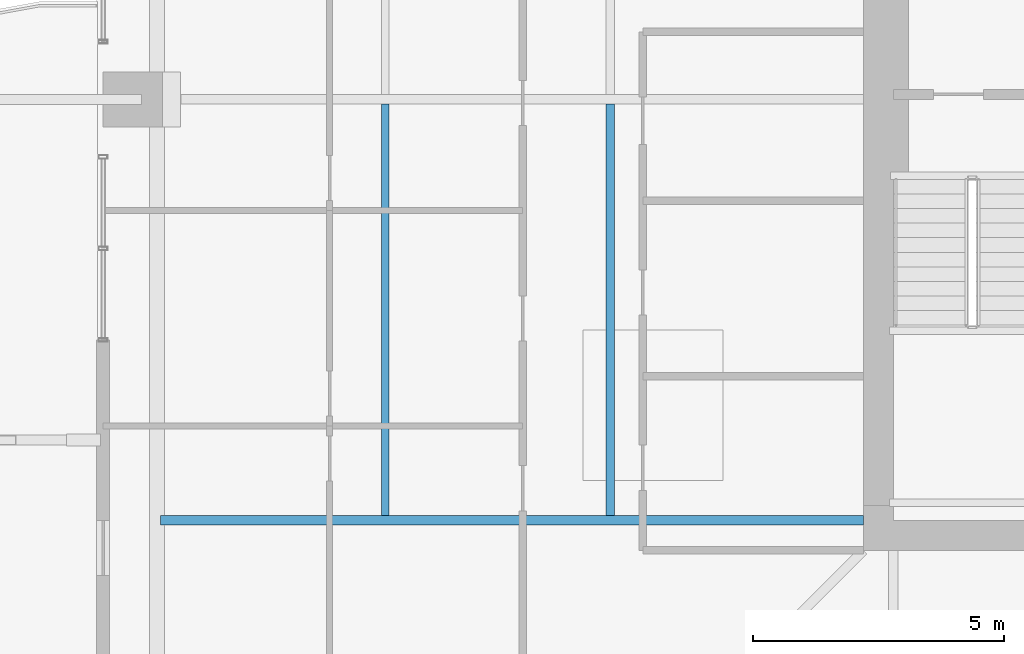
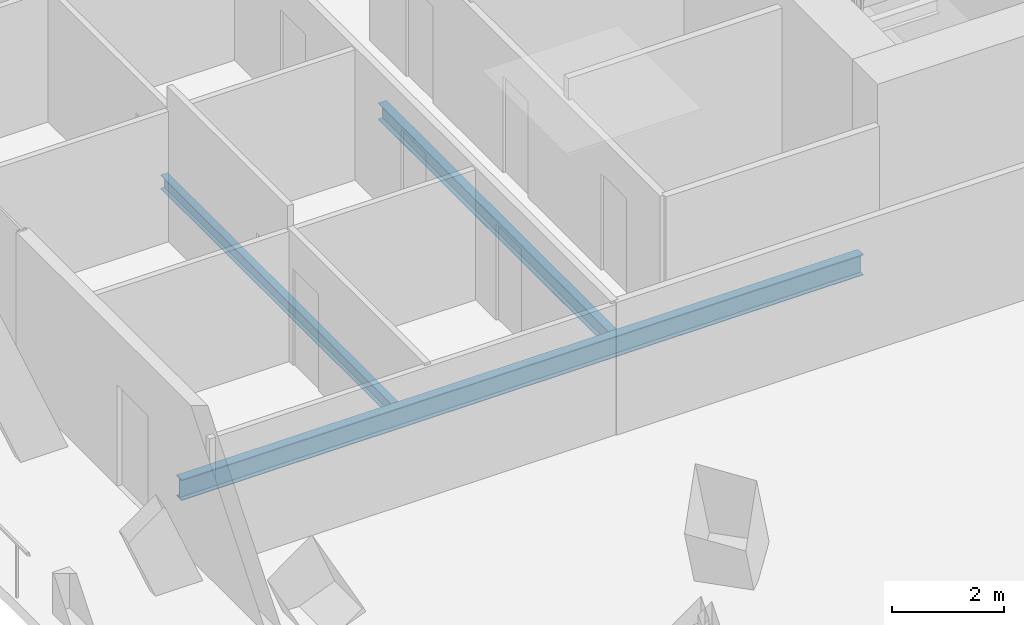
# One storey, part 5 of 24: 3 beams.
"""IFC4 building model written with IfcOpenShell, lengths in metres."""

from ifc_helpers import new_model, si_unit, direction, frame, origin, origin_2d, place, context, subcontext, project, spatial, i_section, extrude, material, material_profile, profile_set, type_object, element, save


model = new_model("IFC4")

# Units and contexts
model_context = context("Model", 3, precision=1e-05, world=origin(), true_north=direction((0.0, 1.0)))
body_context = subcontext(model_context, "Body", "Model", "MODEL_VIEW")
ifc_project = project(units=[si_unit("LENGTHUNIT", "METRE"), si_unit("AREAUNIT", "SQUARE_METRE"), si_unit("VOLUMEUNIT", "CUBIC_METRE"), si_unit("PLANEANGLEUNIT", "RADIAN"), si_unit("MASSUNIT", "GRAM", prefix="KILO")], contexts=[model_context])

# Site, building, storey
site_placement = place(None, origin())
site = spatial("IfcSite", under=ifc_project, at=site_placement, CompositionType="ELEMENT")
building_placement = place(site_placement, origin())
building = spatial("IfcBuilding", under=site, at=building_placement, Name="Belovzor Exchange Tower", CompositionType="ELEMENT")
storey_placement = place(building_placement, frame((0.0, 0.0, 190.800048828125)))
storey = spatial("IfcBuildingStorey", under=building, at=storey_placement, Name="L47", CompositionType="ELEMENT", Elevation=190.800048828125)

# Beams
ifc_material_1 = material(Name="Steel S355", Category="steel")
ifc_material_profile_1 = material_profile(ifc_material_1, i_section(OverallWidth=0.169921875, OverallDepth=0.360107421875, WebThickness=0.008056640625, FlangeThickness=0.0126953125, at=origin_2d()))
ifc_profile_set_1 = profile_set([ifc_material_profile_1], Name="Steel S355")
beam_type_1 = type_object("IfcBeamType", Name="Secondary Infill Floor Joist IPE 360", PredefinedType="BEAM", material=ifc_profile_set_1)
beam_1_placement = place(storey_placement, frame((14.7509765625, 20.4951171875, -0.43505859375), z_axis=(0.0, 1.0, 0.0), x_axis=(-1.0, 0.0, 0.0)))
element("IfcBeam", 1, at=beam_1_placement, inside=storey, type_object=beam_type_1, Name="FJ-360 Secondary Infill Floor Joist IPE 360", PredefinedType="BEAM", context=body_context, shape_type="SweptSolid", body=[
    extrude(i_section(OverallWidth=0.169921875, OverallDepth=0.360107421875, WebThickness=0.008056640625, FlangeThickness=0.0126953125, at=origin_2d()), origin(), (0.0, 0.0, 1.0), 8.2099609375),
])
ifc_material_2 = material(Name="Steel S355", Category="steel")
ifc_material_profile_2 = material_profile(ifc_material_2, i_section(OverallWidth=0.14990234375, OverallDepth=0.300048828125, WebThickness=0.007080078125, FlangeThickness=0.0107421875, at=origin_2d()))
ifc_profile_set_2 = profile_set([ifc_material_profile_2], Name="Steel S355")
beam_type_2 = type_object("IfcBeamType", Name="Secondary Trim Floor Joist IPE 300", PredefinedType="BEAM", material=ifc_profile_set_2)
beam_2_placement = place(storey_placement, frame((10.262939453125, 20.4951171875, -0.405029296875), z_axis=(0.0, 1.0, 0.0), x_axis=(-1.0, 0.0, 0.0)))
element("IfcBeam", 2, at=beam_2_placement, inside=storey, type_object=beam_type_2, Name="FJ-300 Secondary Trim Floor Joist IPE 300", PredefinedType="BEAM", context=body_context, shape_type="SweptSolid", body=[
    extrude(i_section(OverallWidth=0.14990234375, OverallDepth=0.300048828125, WebThickness=0.007080078125, FlangeThickness=0.0107421875, at=origin_2d()), origin(), (0.0, 0.0, 1.0), 8.2099609375),
])
ifc_material_3 = material(Name="Steel S355", Category="steel")
ifc_material_profile_3 = material_profile(ifc_material_3, i_section(OverallWidth=0.18994140625, OverallDepth=0.449951171875, WebThickness=0.009521484375, FlangeThickness=0.0146484375, at=origin_2d()))
ifc_profile_set_3 = profile_set([ifc_material_profile_3], Name="Steel S355")
beam_type_3 = type_object("IfcBeamType", Name="Zone 2-4 Radial Composite Floor Beam IPE 450", PredefinedType="BEAM", material=ifc_profile_set_3)
beam_3_placement = place(storey_placement, frame((19.800048828125, 20.39990234375, -0.47998046875), z_axis=(-1.0, 0.0, 0.0), x_axis=(0.0, -1.0, 0.0)))
element("IfcBeam", 3, at=beam_3_placement, inside=storey, type_object=beam_type_3, Name="FB-450 Zone 2-4 Radial Composite Floor Beam IPE 450", PredefinedType="BEAM", context=body_context, shape_type="SweptSolid", body=[
    extrude(i_section(OverallWidth=0.18994140625, OverallDepth=0.449951171875, WebThickness=0.009521484375, FlangeThickness=0.0146484375, at=origin_2d()), origin(), (0.0, 0.0, 1.0), 14.025146484375),
])

save(model, "model.ifc")
